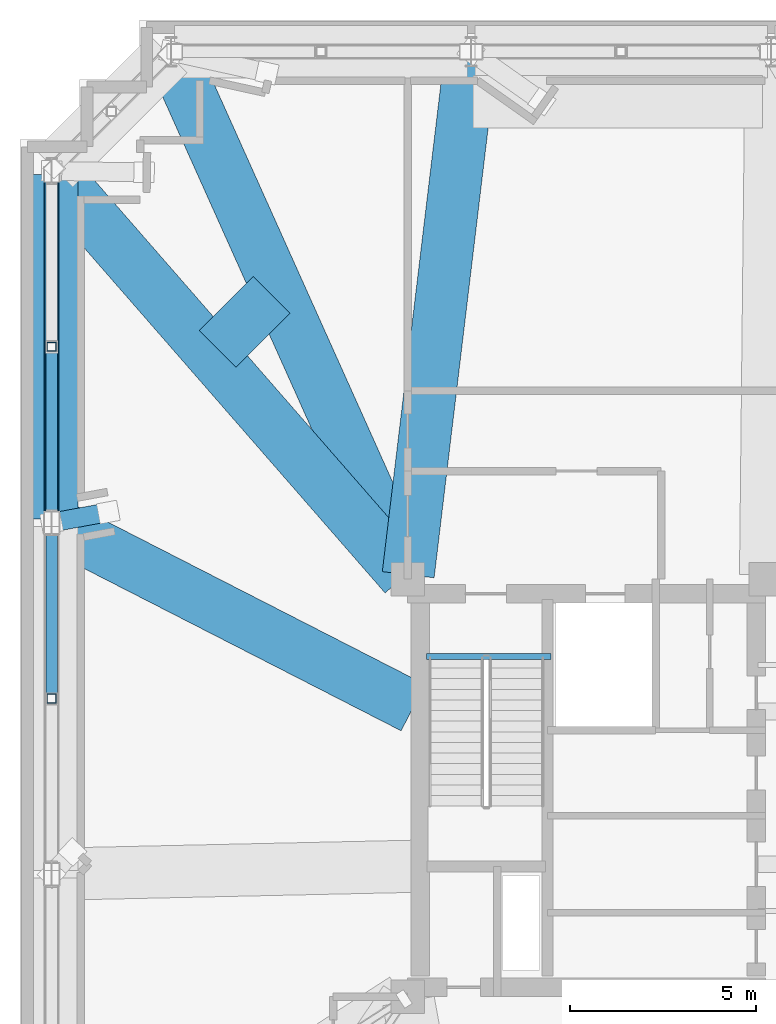
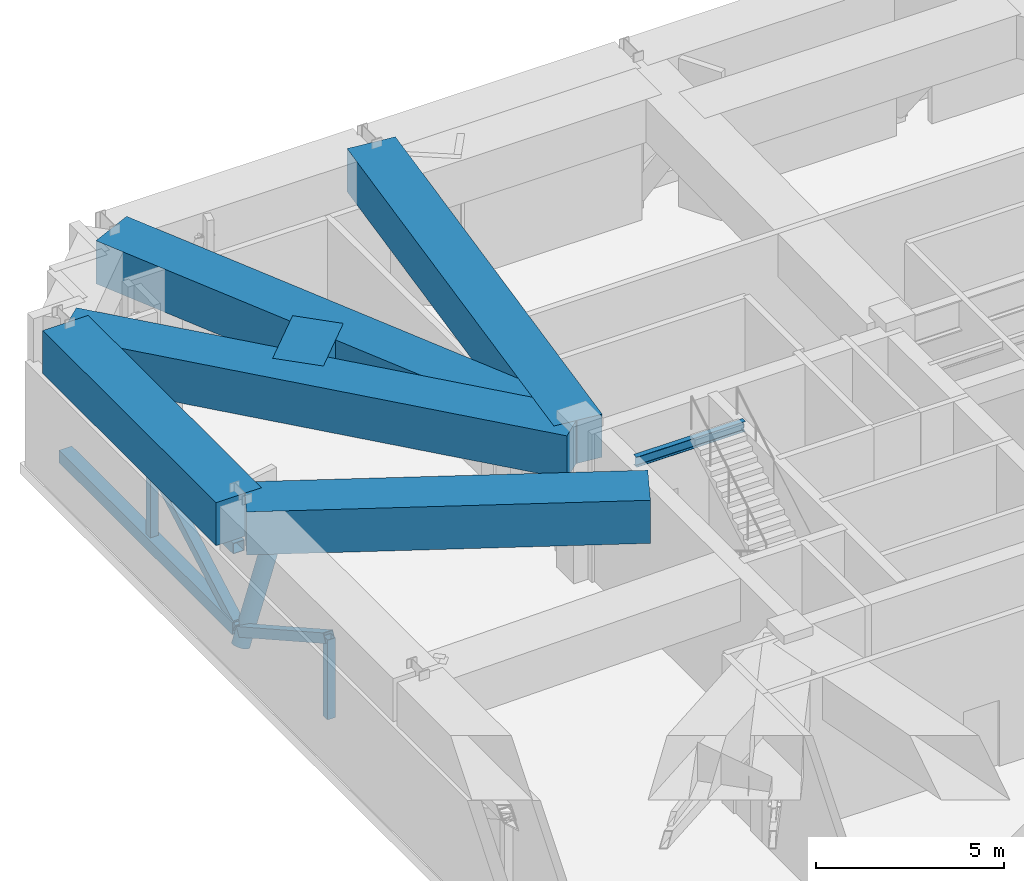
# One storey, part 5 of 18: 7 beams, 7 members.
"""IFC4 building model written with IfcOpenShell, lengths in metres."""

import ifcopenshell
import ifcopenshell.guid

model = None  # the IFC model being written
_history = None  # IfcOwnerHistory: only IFC2X3 demands one
_inside = {}  # id of a spatial element -> (the spatial element, [elements in it])
_under = {}  # id of a project, library or spatial element -> (it, [spatial elements below it])
_declared = {}  # id of a project -> (the project, [libraries it declares])
_typed = {}  # id of a type object -> (the type object, [elements of that type])
_made_of = {}  # id of a material, layer set ... -> (it, [elements and type objects made of it])


def new_model(schema):
    """Start an empty IFC model of exactly this schema.

    Asked for "IFC4X3", IfcOpenShell would pick the latest addendum, in which some entities
    have other attributes; the version numbers below select the first issue.
    IFC2X3 requires an IfcOwnerHistory on every rooted entity: one is made here for all.
    """
    global model, _history
    if schema == "IFC4X3":
        model = ifcopenshell.file(schema_version=(4, 3, 0, 0))
    else:
        model = ifcopenshell.file(schema=schema)
    _inside.clear()
    _under.clear()
    _declared.clear()
    _typed.clear()
    _made_of.clear()
    _history = None
    if model.schema == "IFC2X3":
        org = make("IfcOrganization", Name="unknown")
        user = make(
            "IfcPersonAndOrganization",
            ThePerson=make("IfcPerson", FamilyName="unknown"),
            TheOrganization=org,
        )
        app = make(
            "IfcApplication",
            ApplicationDeveloper=org,
            Version="unknown",
            ApplicationFullName="unknown",
            ApplicationIdentifier="unknown",
        )
        _history = make(
            "IfcOwnerHistory",
            OwningUser=user,
            OwningApplication=app,
            ChangeAction="ADDED",
            CreationDate=0,
        )
    return model


def make(cls, **values):
    """One entity of the class cls with the attributes given. An attribute that is None is left unset."""
    return model.create_entity(
        cls, **{name: value for name, value in values.items() if value is not None}
    )


def rooted(cls, **values):
    """An entity with a GlobalId (a new one), such as an element, a storey or a relation."""
    return make(cls, GlobalId=ifcopenshell.guid.new(), OwnerHistory=_history, **values)


def si_unit(unit_type, name, prefix=None):
    """IfcSIUnit, for example si_unit("LENGTHUNIT", "METRE", prefix="MILLI")."""
    return make("IfcSIUnit", UnitType=unit_type, Prefix=prefix, Name=name)


def assignment(units):
    """IfcUnitAssignment: the units of a project."""
    return None if units is None else make("IfcUnitAssignment", Units=units)


def point(xyz):
    """IfcCartesianPoint."""
    return None if xyz is None else make("IfcCartesianPoint", Coordinates=xyz)


def direction(xyz):
    """IfcDirection."""
    return None if xyz is None else make("IfcDirection", DirectionRatios=xyz)


def frame(location, z_axis=None, x_axis=None):
    """IfcAxis2Placement3D, a coordinate frame: its origin and axes. An axis left out is left unset."""
    return make(
        "IfcAxis2Placement3D",
        Location=point(location),
        Axis=direction(z_axis),
        RefDirection=direction(x_axis),
    )


def frame_2d(location, x_axis=None):
    """IfcAxis2Placement2D, a coordinate frame in the plane: its origin and x axis."""
    return make(
        "IfcAxis2Placement2D", Location=point(location), RefDirection=direction(x_axis)
    )


def origin():
    """The frame at (0, 0, 0) with its axes left unset."""
    return frame((0.0, 0.0, 0.0))


def origin_2d():
    """The frame at (0, 0) in the plane with its x axis left unset."""
    return frame_2d((0.0, 0.0))


def place(relative_to, where):
    """IfcLocalPlacement: puts the frame where relative to a parent placement (None: the world)."""
    return make(
        "IfcLocalPlacement", PlacementRelTo=relative_to, RelativePlacement=where
    )


def context(
    kind, dimensions, precision=None, world=None, true_north=None, identifier=None
):
    """IfcGeometricRepresentationContext, for example the 3D "Model" context."""
    return make(
        "IfcGeometricRepresentationContext",
        ContextIdentifier=identifier,
        ContextType=kind,
        CoordinateSpaceDimension=dimensions,
        Precision=precision,
        WorldCoordinateSystem=world,
        TrueNorth=true_north,
    )


def subcontext(parent, identifier, kind, view, scale=None):
    """IfcGeometricRepresentationSubContext, for example "Body" below "Model"."""
    return make(
        "IfcGeometricRepresentationSubContext",
        ContextIdentifier=identifier,
        ContextType=kind,
        ParentContext=parent,
        TargetScale=scale,
        TargetView=view,
    )


def project(units=None, contexts=None):
    """IfcProject with its units and contexts."""
    return rooted(
        "IfcProject",
        Name="project",
        RepresentationContexts=contexts,
        UnitsInContext=assignment(units),
    )


def spatial(cls, under=None, at=None, **own):
    """A site, building, storey or space (cls), placed at a placement, below another one or the project."""
    s = rooted(cls, ObjectPlacement=at, **own)
    if under is not None:
        _under.setdefault(under.id(), (under, []))[1].append(s)
    return s


def profile(cls, at=None, kind="AREA", **sizes):
    """A parametric profile (cls). Its sizes go by their IFC names, for example OverallWidth=200.0."""
    return make(cls, ProfileType=kind, Position=at, **sizes)


def rectangle(**sizes):
    """IfcRectangleProfileDef."""
    return profile("IfcRectangleProfileDef", **sizes)


def hollow_rectangle(**sizes):
    """IfcRectangleHollowProfileDef."""
    return profile("IfcRectangleHollowProfileDef", **sizes)


def hollow_circle(**sizes):
    """IfcCircleHollowProfileDef."""
    return profile("IfcCircleHollowProfileDef", **sizes)


def i_section(**sizes):
    """IfcIShapeProfileDef."""
    return profile("IfcIShapeProfileDef", **sizes)


def extrude(swept, where, along, depth):
    """IfcExtrudedAreaSolid: the profile swept, set in the frame where, extruded along a direction by depth."""
    return make(
        "IfcExtrudedAreaSolid",
        SweptArea=swept,
        Position=where,
        ExtrudedDirection=direction(along),
        Depth=depth,
    )


def shape(context_of_items, identifier, shape_type, items):
    """IfcShapeRepresentation: the items that make up one representation, for example the "Body"."""
    return make(
        "IfcShapeRepresentation",
        ContextOfItems=context_of_items,
        RepresentationIdentifier=identifier,
        RepresentationType=shape_type,
        Items=items,
    )


def material(Name=None, Category=None):
    """IfcMaterial."""
    return make("IfcMaterial", Name=Name, Category=Category)


def material_profile(
    of_material, cross_section, Name=None, Category=None, Priority=None
):
    """IfcMaterialProfile: a cross section and its material."""
    return make(
        "IfcMaterialProfile",
        Name=Name,
        Material=of_material,
        Profile=cross_section,
        Priority=Priority,
        Category=Category,
    )


def profile_set(profiles, Name=None, composite=None):
    """IfcMaterialProfileSet."""
    return make(
        "IfcMaterialProfileSet",
        Name=Name,
        MaterialProfiles=profiles,
        CompositeProfile=composite,
    )


def made_of(thing, what):
    """Note that an element or type object is made of a material, layer set ...; save() writes the relation."""
    if what is not None:
        _made_of.setdefault(what.id(), (what, []))[1].append(thing)
    return thing


def type_object(cls, material=None, **own):
    """A type object (cls), such as IfcWallType, which elements share."""
    return made_of(rooted(cls, **own), material)


def element(
    cls,
    number,
    at=None,
    inside=None,
    cuts=None,
    type_object=None,
    material=None,
    context=None,
    identifier="Body",
    shape_type=None,
    held_by="IfcProductDefinitionShape",
    body=None,
    shapes=None,
    **own,
):
    """One element of the class cls, such as IfcWall. Its Tag is "e" and its number.

    at: its placement. inside: the storey or other place that contains it. cuts: it is an
    opening in that element (IfcRelVoidsElement). A single representation is given by context,
    identifier, shape_type and body (its items); several are given by shapes. held_by: the class
    of the entity that holds the representations. save() writes the other relations.
    """
    e = rooted(cls, Tag="e%d" % number, ObjectPlacement=at, **own)
    if body is not None:
        shapes = [shape(context, identifier, shape_type, body)]
    if shapes is not None:
        e.Representation = make(held_by, Representations=shapes)
    if inside is not None:
        _inside.setdefault(inside.id(), (inside, []))[1].append(e)
    if cuts is not None:
        rooted(
            "IfcRelVoidsElement", RelatingBuildingElement=cuts, RelatedOpeningElement=e
        )
    if type_object is not None:
        _typed.setdefault(type_object.id(), (type_object, []))[1].append(e)
    return made_of(e, material)


def aggregate(whole, parts):
    """IfcRelAggregates: a whole, such as a stair, and the parts it consists of."""
    return rooted("IfcRelAggregates", RelatingObject=whole, RelatedObjects=parts)


def save(model, path):
    """Write the relations noted so far, then the file.

    IfcRelAggregates (storeys below a building ...), IfcRelContainedInSpatialStructure (elements
    in a storey), IfcRelDefinesByType, IfcRelAssociatesMaterial and IfcRelDeclares: one each for
    every whole, place, type object, material and project.
    """
    for whole, parts in _under.values():
        aggregate(whole, parts)
    for where, things in _inside.values():
        rooted(
            "IfcRelContainedInSpatialStructure",
            RelatedElements=things,
            RelatingStructure=where,
        )
    for kind, things in _typed.values():
        rooted("IfcRelDefinesByType", RelatedObjects=things, RelatingType=kind)
    for what, things in _made_of.values():
        rooted("IfcRelAssociatesMaterial", RelatedObjects=things, RelatingMaterial=what)
    for by, libraries in _declared.values():
        rooted("IfcRelDeclares", RelatingContext=by, RelatedDefinitions=libraries)
    model.write(path)


model = new_model("IFC4")

# Units and contexts
model_context = context("Model", 3, precision=1e-05, world=origin(), true_north=direction((0.0, 1.0)))
body_context = subcontext(model_context, "Body", "Model", "MODEL_VIEW")
ifc_project = project(units=[si_unit("LENGTHUNIT", "METRE"), si_unit("AREAUNIT", "SQUARE_METRE"), si_unit("VOLUMEUNIT", "CUBIC_METRE"), si_unit("PLANEANGLEUNIT", "RADIAN"), si_unit("MASSUNIT", "GRAM", prefix="KILO")], contexts=[model_context])

# Site, building, storey
site_placement = place(None, origin())
site = spatial("IfcSite", under=ifc_project, at=site_placement, CompositionType="ELEMENT")
building_placement = place(site_placement, origin())
building = spatial("IfcBuilding", under=site, at=building_placement, Name="Qobustan Lattice House", CompositionType="ELEMENT")
storey_placement = place(building_placement, frame((0.0, 0.0, 174.550048828125)))
storey = spatial("IfcBuildingStorey", under=building, at=storey_placement, Name="L49", CompositionType="ELEMENT", Elevation=174.550048828125)

# Beams
ifc_material_1 = material(Name="Steel S355", Category="steel")
ifc_material_profile_1 = material_profile(ifc_material_1, i_section(OverallWidth=0.159912109375, OverallDepth=0.330078125, WebThickness=0.007568359375, FlangeThickness=0.011474609375, FilletRadius=0.01806640625, at=origin_2d()), Name="IPE330")
ifc_profile_set_1 = profile_set([ifc_material_profile_1], Name="Steel S355")
beam_type_1 = type_object("IfcBeamType", Name="BM-SPD-IPE330", PredefinedType="SPANDREL", material=ifc_profile_set_1)
beam_1_placement = place(storey_placement, frame((-18.300048828125, 3.52001953125, 4.655029296875), z_axis=(1.0, 0.0, 0.0), x_axis=(0.0, 1.0, 0.0)))
element("IfcBeam", 1, at=beam_1_placement, inside=storey, type_object=beam_type_1, Name="L49 west stair landing trimmer beam", PredefinedType="SPANDREL", context=body_context, shape_type="SweptSolid", body=[
    extrude(i_section(OverallWidth=0.159912109375, OverallDepth=0.330078125, WebThickness=0.007568359375, FlangeThickness=0.011474609375, FilletRadius=0.01806640625, at=origin_2d()), origin(), (0.0, 0.0, 1.0), 3.35009765625),
])
ifc_material_2 = material(Name="Concrete C60/75", Category="concrete")
ifc_material_profile_2 = material_profile(ifc_material_2, rectangle(XDim=1.39990234375, YDim=1.39990234375, at=origin_2d()), Name="RC1400x1400")
ifc_profile_set_2 = profile_set([ifc_material_profile_2], Name="Concrete C60/75")
beam_type_2 = type_object("IfcBeamType", Name="BM-TRG-RC1400", PredefinedType="USERDEFINED", material=ifc_profile_set_2)
beam_2_placement = place(storey_placement, frame((-28.35009765625, 16.449951171875, 4.119873046875), z_axis=(0.0, -1.0, 0.0), x_axis=(1.0, 0.0, 0.0)))
element("IfcBeam", 2, at=beam_2_placement, inside=storey, type_object=beam_type_2, Name="L49 TT3 lower perimeter transfer girder W1-W2", ObjectType="GIRDER", PredefinedType="USERDEFINED", context=body_context, shape_type="SweptSolid", body=[
    extrude(rectangle(XDim=1.39990234375, YDim=1.39990234375, at=origin_2d()), origin(), (0.0, 0.0, 1.0), 9.233154296875),
])
beam_3_placement = place(storey_placement, frame((-18.78564453125, 5.718994140625, 4.119873046875), z_axis=(0.119283318177, 0.992860257038, 0.0), x_axis=(-0.992860257038, 0.119283318177, 0.0)))
element("IfcBeam", 3, at=beam_3_placement, inside=storey, type_object=beam_type_2, Name="L49 TT3 radial transfer girder N6", ObjectType="GIRDER", PredefinedType="USERDEFINED", context=body_context, shape_type="SweptSolid", body=[
    extrude(rectangle(XDim=1.39990234375, YDim=1.39990234375, at=origin_2d()), origin(), (0.0, 0.0, 1.0), 14.011962890625),
])
beam_4_placement = place(storey_placement, frame((-18.84912109375, 5.70947265625, 4.119873046875), z_axis=(-0.409427730753, 0.912342552603, 0.0), x_axis=(-0.912342552603, -0.409427730753, 0.0)))
element("IfcBeam", 4, at=beam_4_placement, inside=storey, type_object=beam_type_2, Name="L49 TT3 radial transfer girder N7", ObjectType="GIRDER", PredefinedType="USERDEFINED", context=body_context, shape_type="SweptSolid", body=[
    extrude(rectangle(XDim=1.39990234375, YDim=1.39990234375, at=origin_2d()), origin(), (0.0, 0.0, 1.0), 15.269287109375),
])
beam_5_placement = place(storey_placement, frame((-18.87890625, 5.6904296875, 4.119873046875), z_axis=(-0.657273582642, 0.753652066647, 0.0), x_axis=(-0.753652066647, -0.657273582642, 0.0)))
element("IfcBeam", 5, at=beam_5_placement, inside=storey, type_object=beam_type_2, Name="L49 TT3 radial transfer girder W1", ObjectType="GIRDER", PredefinedType="USERDEFINED", context=body_context, shape_type="SweptSolid", body=[
    extrude(rectangle(XDim=1.39990234375, YDim=1.39990234375, at=origin_2d()), origin(), (0.0, 0.0, 1.0), 14.28955078125),
])
beam_6_placement = place(storey_placement, frame((-18.65673828125, 2.15478515625, 4.119873046875), z_axis=(-0.89015237238, 0.455662982857, 0.0), x_axis=(-0.455662982857, -0.89015237238, 0.0)))
element("IfcBeam", 6, at=beam_6_placement, inside=storey, type_object=beam_type_2, Name="L49 TT3 radial transfer girder W2", ObjectType="GIRDER", PredefinedType="USERDEFINED", context=body_context, shape_type="SweptSolid", body=[
    extrude(rectangle(XDim=1.39990234375, YDim=1.39990234375, at=origin_2d()), origin(), (0.0, 0.0, 1.0), 10.76953125),
])
beam_7_placement = place(storey_placement, frame((-22.447998046875, 13.226806640625, 4.119873046875), z_axis=(-0.707166354612, -0.707047202741, 0.0), x_axis=(0.707047202741, -0.707166354612, 0.0)))
element("IfcBeam", 7, at=beam_7_placement, inside=storey, type_object=beam_type_2, Name="L49 TT3 quadrant transfer tie girder 2", ObjectType="GIRDER", PredefinedType="USERDEFINED", context=body_context, shape_type="SweptSolid", body=[
    extrude(rectangle(XDim=1.39990234375, YDim=1.39990234375, at=origin_2d()), origin(), (0.0, 0.0, 1.0), 2.049072265625),
])

# Members
ifc_material_3 = material(Name="Steel S355", Category="steel")
ifc_material_profile_3 = material_profile(ifc_material_3, hollow_rectangle(XDim=0.300048828125, YDim=0.300048828125, WallThickness=0.01611328125, at=origin_2d()), Name="SHS300x300x16")
ifc_profile_set_3 = profile_set([ifc_material_profile_3], Name="Steel S355")
member_type_1 = type_object("IfcMemberType", Name="MEM-BRC-SHS300", PredefinedType="BRACE", material=ifc_profile_set_3)
member_1_placement = place(storey_placement, frame((-28.35009765625, 11.833251953125, 3.139892578125), z_axis=(0.0, -0.872132960732, -0.489268943225), x_axis=(1.0, 0.0, 0.0)))
element("IfcMember", 8, at=member_1_placement, inside=storey, type_object=member_type_1, Name="L49 TT3 belt truss web diagonal W1-W2 B", PredefinedType="BRACE", context=body_context, shape_type="SweptSolid", body=[
    extrude(hollow_rectangle(XDim=0.300048828125, YDim=0.300048828125, WallThickness=0.01611328125, at=origin_2d()), origin(), (0.0, 0.0, 1.0), 5.293212890625),
])
member_2_placement = place(storey_placement, frame((-28.35009765625, 7.0166015625, 0.550048828125), z_axis=(0.0, -0.872144001092, 0.489249263013), x_axis=(1.0, 0.0, 0.0)))
element("IfcMember", 9, at=member_2_placement, inside=storey, type_object=member_type_1, Name="L49 TT3 belt truss web diagonal W2-W3 A", PredefinedType="BRACE", context=body_context, shape_type="SweptSolid", body=[
    extrude(hollow_rectangle(XDim=0.300048828125, YDim=0.300048828125, WallThickness=0.01611328125, at=origin_2d()), origin(), (0.0, 0.0, 1.0), 5.29345703125),
])
ifc_material_4 = material(Name="Steel S355", Category="steel")
ifc_material_profile_4 = material_profile(ifc_material_4, hollow_rectangle(XDim=0.35009765625, YDim=0.35009765625, WallThickness=0.01611328125, at=origin_2d()), Name="SHS350x350x16")
ifc_profile_set_4 = profile_set([ifc_material_profile_4], Name="Steel S355")
member_type_2 = type_object("IfcMemberType", Name="MEM-CHD-SHS350", PredefinedType="CHORD", material=ifc_profile_set_4)
member_3_placement = place(storey_placement, frame((-28.35009765625, 16.449951171875, 3.139892578125), z_axis=(0.0, -1.0, 0.0), x_axis=(1.0, 0.0, 0.0)))
element("IfcMember", 10, at=member_3_placement, inside=storey, type_object=member_type_2, Name="L49 TT3 belt truss top chord W1-W2", PredefinedType="CHORD", context=body_context, shape_type="SweptSolid", body=[
    extrude(hollow_rectangle(XDim=0.35009765625, YDim=0.35009765625, WallThickness=0.01611328125, at=origin_2d()), origin(), (0.0, 0.0, 1.0), 9.233154296875),
])
ifc_material_5 = material(Name="Steel S355", Category="steel")
ifc_material_profile_5 = material_profile(ifc_material_5, hollow_rectangle(XDim=0.39990234375, YDim=0.39990234375, WallThickness=0.02001953125, at=origin_2d()), Name="SHS400x400x20")
ifc_profile_set_5 = profile_set([ifc_material_profile_5], Name="Steel S355")
member_type_3 = type_object("IfcMemberType", Name="MEM-CHD-SHS400", PredefinedType="CHORD", material=ifc_profile_set_5)
member_4_placement = place(storey_placement, frame((-28.35009765625, 16.449951171875, 0.550048828125), z_axis=(0.0, -1.0, 0.0), x_axis=(1.0, 0.0, 0.0)))
element("IfcMember", 11, at=member_4_placement, inside=storey, type_object=member_type_3, Name="L49 TT3 belt truss bottom chord W1-W2", PredefinedType="CHORD", context=body_context, shape_type="SweptSolid", body=[
    extrude(hollow_rectangle(XDim=0.39990234375, YDim=0.39990234375, WallThickness=0.02001953125, at=origin_2d()), origin(), (0.0, 0.0, 1.0), 9.233154296875),
])
ifc_material_6 = material(Name="Steel S355", Category="steel")
ifc_material_profile_6 = material_profile(ifc_material_6, hollow_rectangle(XDim=0.25, YDim=0.25, WallThickness=0.012451171875, at=origin_2d()), Name="SHS250x250x12.5")
ifc_profile_set_6 = profile_set([ifc_material_profile_6], Name="Steel S355")
member_type_4 = type_object("IfcMemberType", Name="MEM-PST-SHS250", PredefinedType="POST", material=ifc_profile_set_6)
for number, where, z_axis, x_axis, name in (
    (12, (-28.35009765625, 11.833251953125, 0.550048828125), (0.0, 0.0, 1.0), (1.0, 0.0, 0.0), "L49 TT3 belt truss vertical post W1-W2"),
    (13, (-28.35009765625, 2.39990234375, 0.550048828125), (0.0, 0.0, 1.0), (1.0, 0.0, 0.0), "L49 TT3 belt truss vertical post W2-W3"),
):
    element("IfcMember", number, at=place(storey_placement, frame(where, z_axis=z_axis, x_axis=x_axis)), inside=storey, type_object=member_type_4, Name=name, PredefinedType="POST", context=body_context, shape_type="SweptSolid", body=[
        extrude(hollow_rectangle(XDim=0.25, YDim=0.25, WallThickness=0.012451171875, at=origin_2d()), origin(), (0.0, 0.0, 1.0), 2.58984375),
    ])
ifc_material_7 = material(Name="Steel S355", Category="steel")
ifc_material_profile_7 = material_profile(ifc_material_7, hollow_circle(Radius=0.25390625, WallThickness=0.02001953125, at=origin_2d()), Name="CHS508x20")
ifc_profile_set_7 = profile_set([ifc_material_profile_7], Name="Steel S355")
member_type_5 = type_object("IfcMemberType", Name="MEM-STR-CHS508", PredefinedType="STRUT", material=ifc_profile_set_7)
member_5_placement = place(storey_placement, frame((-28.35009765625, 7.11669921875, 0.014892578125), z_axis=(0.346042135695, 0.064075691471, 0.936028389573), x_axis=(-0.182072266682, 0.983285151777, 0.0)))
element("IfcMember", 14, at=member_5_placement, inside=storey, type_object=member_type_5, Name="L49 TT3 column transfer strut W2", PredefinedType="STRUT", context=body_context, shape_type="SweptSolid", body=[
    extrude(hollow_circle(Radius=0.25390625, WallThickness=0.02001953125, at=origin_2d()), origin(), (0.0, 0.0, 1.0), 4.385498046875),
])

save(model, "model.ifc")
